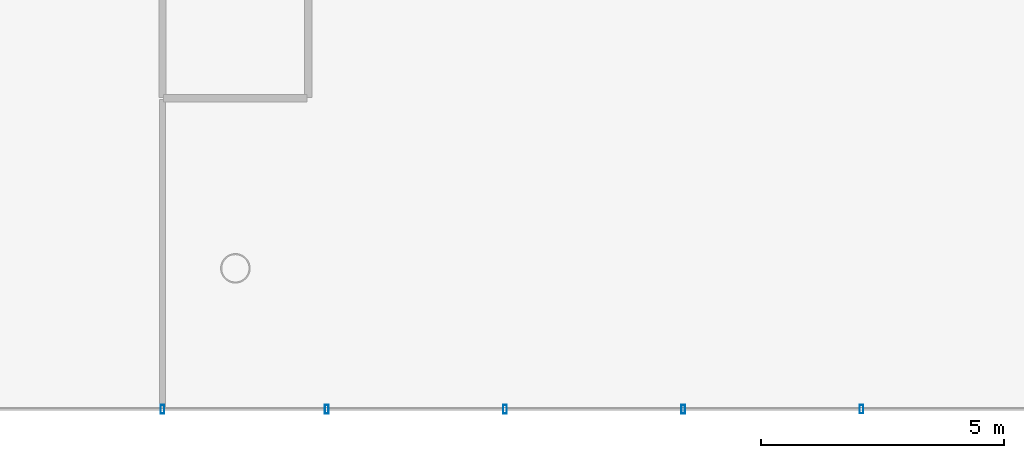
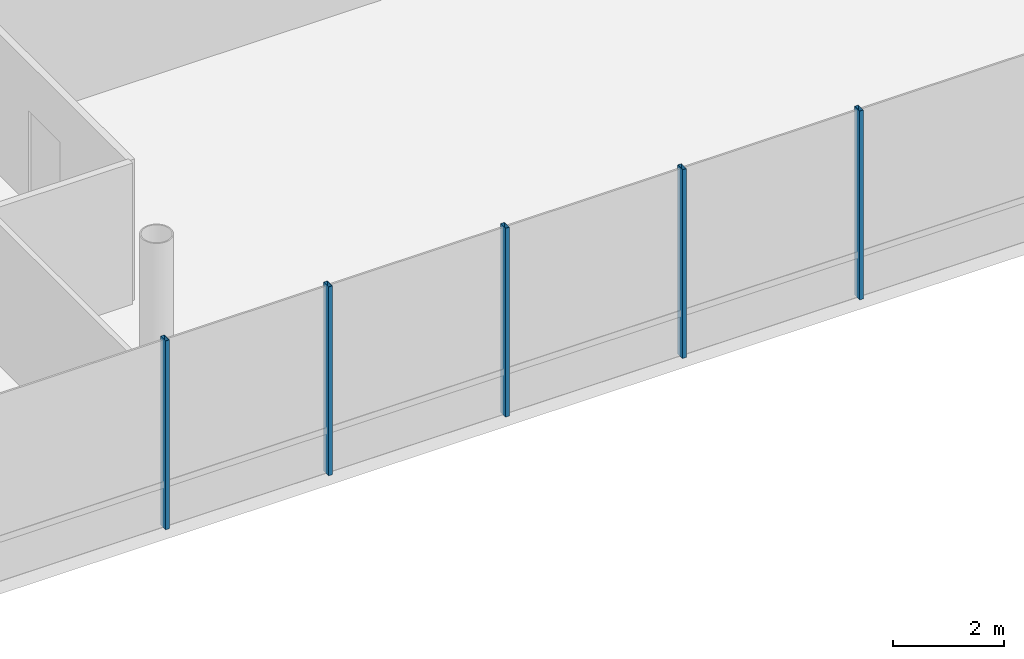
# One storey, part 6 of 37: 5 members, 1 element without a shape of its own.
"""IFC4 building model written with IfcOpenShell, lengths in metres."""

from ifc_helpers import new_model, si_unit, direction, frame, origin, origin_2d, place, context, subcontext, project, spatial, hollow_rectangle, extrude, material, layer, layer_set, material_profile, profile_set, type_object, element, aggregate, save


model = new_model("IFC4")

# Units and contexts
model_context = context("Model", 3, precision=1e-05, world=origin(), true_north=direction((0.0, 1.0)))
body_context = subcontext(model_context, "Body", "Model", "MODEL_VIEW")
ifc_project = project(units=[si_unit("LENGTHUNIT", "METRE"), si_unit("AREAUNIT", "SQUARE_METRE"), si_unit("VOLUMEUNIT", "CUBIC_METRE"), si_unit("PLANEANGLEUNIT", "RADIAN"), si_unit("MASSUNIT", "GRAM", prefix="KILO")], contexts=[model_context])

# Site, building, storey
site_placement = place(None, origin())
site = spatial("IfcSite", under=ifc_project, at=site_placement, CompositionType="ELEMENT")
building_placement = place(site_placement, origin())
building = spatial("IfcBuilding", under=site, at=building_placement, Name="Zarrinselat Tower", CompositionType="ELEMENT")
storey_placement = place(building_placement, frame((0.0, 0.0, 9.52001953125)))
storey = spatial("IfcBuildingStorey", under=building, at=storey_placement, Name="L02", CompositionType="ELEMENT", Elevation=9.52001953125)

# Curtain wall, members
ifc_material_1 = material(Name="Extruded Aluminium Alloy EN AW-6063 T6", Category="aluminium")
ifc_layer = layer(ifc_material_1, 0.2099609375)
ifc_layer_set = layer_set([ifc_layer], Name="Extruded Aluminium Alloy EN AW-6063 T6")
curtain_wall_type = type_object("IfcCurtainWallType", Name="CWS-POD", PredefinedType="NOTDEFINED", material=ifc_layer_set)
curtain_wall_placement = place(storey_placement, origin())
curtain_wall = element("IfcCurtainWall", 1, at=curtain_wall_placement, inside=storey, type_object=curtain_wall_type, Name="L02 Unitised Curtain Wall CW-L02-F1", PredefinedType="NOTDEFINED")
ifc_material_2 = material(Name="Extruded Aluminium Alloy EN AW-6063 T6", Category="aluminium")
ifc_material_profile = material_profile(ifc_material_2, hollow_rectangle(XDim=0.080078125, YDim=0.179931640625, WallThickness=0.0048828125, at=origin_2d()), Name="RHS 180x80x5")
ifc_profile_set = profile_set([ifc_material_profile], Name="Extruded Aluminium Alloy EN AW-6063 T6")
member_type = type_object("IfcMemberType", Name="MEM-CW-MUL", PredefinedType="MULLION", material=ifc_profile_set)
member_1_placement = place(storey_placement, frame((18.5, 5.60009765625, 0.0), z_axis=(0.0, 0.0, 1.0), x_axis=(1.0, 0.0, 0.0)))
member_1 = element("IfcMember", 2, at=member_1_placement, type_object=member_type, Name="CW-L02-F1 Mullion 3", PredefinedType="MULLION", context=body_context, shape_type="SweptSolid", body=[
    extrude(hollow_rectangle(XDim=0.080078125, YDim=0.179931640625, WallThickness=0.0048828125, at=origin_2d()), origin(), (0.0, 0.0, 1.0), 4.139892578125),
])
member_2_placement = place(storey_placement, frame((21.88232421875, 5.60009765625, 0.0), z_axis=(0.0, 0.0, 1.0), x_axis=(1.0, 0.0, 0.0)))
member_2 = element("IfcMember", 3, at=member_2_placement, type_object=member_type, Name="CW-L02-F1 Mullion 4", PredefinedType="MULLION", context=body_context, shape_type="SweptSolid", body=[
    extrude(hollow_rectangle(XDim=0.080078125, YDim=0.179931640625, WallThickness=0.0048828125, at=origin_2d()), origin(), (0.0, 0.0, 1.0), 4.139892578125),
])
member_3_placement = place(storey_placement, frame((25.552978515625, 5.60009765625, 0.0), z_axis=(0.0, 0.0, 1.0), x_axis=(1.0, 0.0, 0.0)))
member_3 = element("IfcMember", 4, at=member_3_placement, type_object=member_type, Name="CW-L02-F1 Mullion 5", PredefinedType="MULLION", context=body_context, shape_type="SweptSolid", body=[
    extrude(hollow_rectangle(XDim=0.080078125, YDim=0.179931640625, WallThickness=0.0048828125, at=origin_2d()), origin(), (0.0, 0.0, 1.0), 4.139892578125),
])
member_4_placement = place(storey_placement, frame((29.223388671875, 5.60009765625, 0.0), z_axis=(0.0, 0.0, 1.0), x_axis=(1.0, 0.0, 0.0)))
member_4 = element("IfcMember", 5, at=member_4_placement, type_object=member_type, Name="CW-L02-F1 Mullion 6", PredefinedType="MULLION", context=body_context, shape_type="SweptSolid", body=[
    extrude(hollow_rectangle(XDim=0.080078125, YDim=0.179931640625, WallThickness=0.0048828125, at=origin_2d()), origin(), (0.0, 0.0, 1.0), 4.139892578125),
])
member_5_placement = place(storey_placement, frame((32.89404296875, 5.60009765625, 0.0), z_axis=(0.0, 0.0, 1.0), x_axis=(1.0, 0.0, 0.0)))
member_5 = element("IfcMember", 6, at=member_5_placement, type_object=member_type, Name="CW-L02-F1 Mullion 7", PredefinedType="MULLION", context=body_context, shape_type="SweptSolid", body=[
    extrude(hollow_rectangle(XDim=0.080078125, YDim=0.179931640625, WallThickness=0.0048828125, at=origin_2d()), origin(), (0.0, 0.0, 1.0), 4.139892578125),
])
aggregate(curtain_wall, [member_1, member_2, member_3, member_4, member_5])

save(model, "model.ifc")
